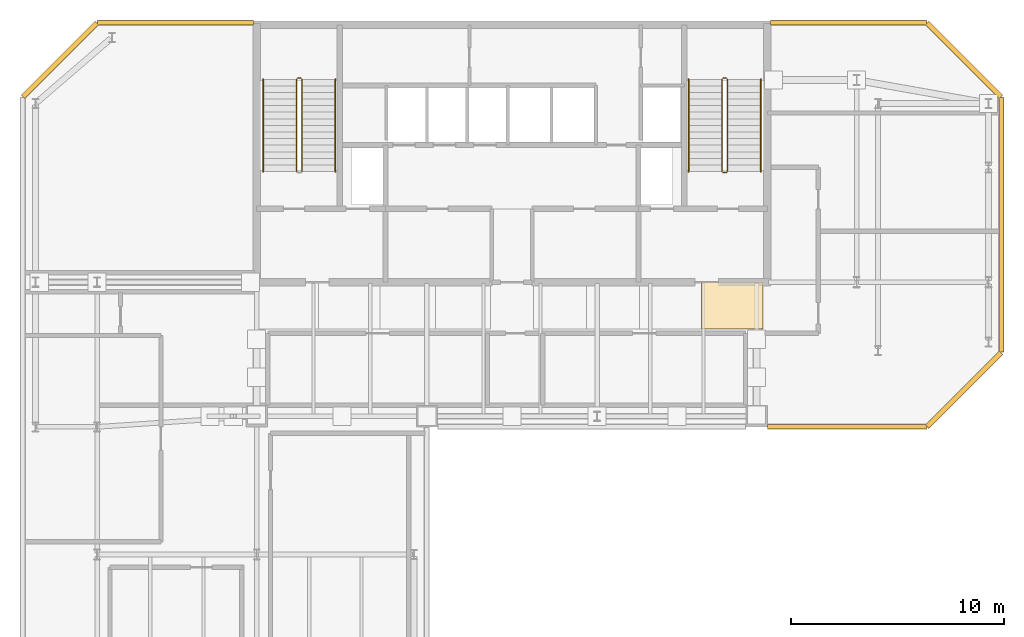
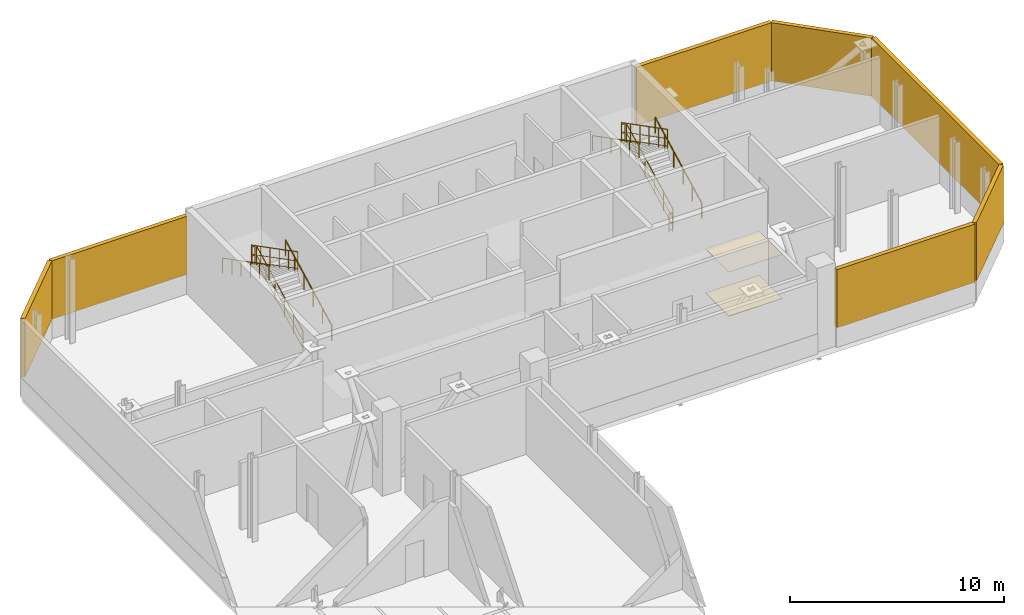
# One storey, part 7 of 7: 11 railings, 7 shading devices, 2 coverings.
"""IFC4 building model written with IfcOpenShell, lengths in metres."""

import ifcopenshell
import ifcopenshell.guid

model = None  # the IFC model being written
_history = None  # IfcOwnerHistory: only IFC2X3 demands one
_inside = {}  # id of a spatial element -> (the spatial element, [elements in it])
_under = {}  # id of a project, library or spatial element -> (it, [spatial elements below it])
_declared = {}  # id of a project -> (the project, [libraries it declares])
_typed = {}  # id of a type object -> (the type object, [elements of that type])
_made_of = {}  # id of a material, layer set ... -> (it, [elements and type objects made of it])


def new_model(schema):
    """Start an empty IFC model of exactly this schema.

    Asked for "IFC4X3", IfcOpenShell would pick the latest addendum, in which some entities
    have other attributes; the version numbers below select the first issue.
    IFC2X3 requires an IfcOwnerHistory on every rooted entity: one is made here for all.
    """
    global model, _history
    if schema == "IFC4X3":
        model = ifcopenshell.file(schema_version=(4, 3, 0, 0))
    else:
        model = ifcopenshell.file(schema=schema)
    _inside.clear()
    _under.clear()
    _declared.clear()
    _typed.clear()
    _made_of.clear()
    _history = None
    if model.schema == "IFC2X3":
        org = make("IfcOrganization", Name="unknown")
        user = make(
            "IfcPersonAndOrganization",
            ThePerson=make("IfcPerson", FamilyName="unknown"),
            TheOrganization=org,
        )
        app = make(
            "IfcApplication",
            ApplicationDeveloper=org,
            Version="unknown",
            ApplicationFullName="unknown",
            ApplicationIdentifier="unknown",
        )
        _history = make(
            "IfcOwnerHistory",
            OwningUser=user,
            OwningApplication=app,
            ChangeAction="ADDED",
            CreationDate=0,
        )
    return model


def make(cls, **values):
    """One entity of the class cls with the attributes given. An attribute that is None is left unset."""
    return model.create_entity(
        cls, **{name: value for name, value in values.items() if value is not None}
    )


def rooted(cls, **values):
    """An entity with a GlobalId (a new one), such as an element, a storey or a relation."""
    return make(cls, GlobalId=ifcopenshell.guid.new(), OwnerHistory=_history, **values)


def si_unit(unit_type, name, prefix=None):
    """IfcSIUnit, for example si_unit("LENGTHUNIT", "METRE", prefix="MILLI")."""
    return make("IfcSIUnit", UnitType=unit_type, Prefix=prefix, Name=name)


def assignment(units):
    """IfcUnitAssignment: the units of a project."""
    return None if units is None else make("IfcUnitAssignment", Units=units)


def point(xyz):
    """IfcCartesianPoint."""
    return None if xyz is None else make("IfcCartesianPoint", Coordinates=xyz)


def direction(xyz):
    """IfcDirection."""
    return None if xyz is None else make("IfcDirection", DirectionRatios=xyz)


def frame(location, z_axis=None, x_axis=None):
    """IfcAxis2Placement3D, a coordinate frame: its origin and axes. An axis left out is left unset."""
    return make(
        "IfcAxis2Placement3D",
        Location=point(location),
        Axis=direction(z_axis),
        RefDirection=direction(x_axis),
    )


def frame_2d(location, x_axis=None):
    """IfcAxis2Placement2D, a coordinate frame in the plane: its origin and x axis."""
    return make(
        "IfcAxis2Placement2D", Location=point(location), RefDirection=direction(x_axis)
    )


def origin():
    """The frame at (0, 0, 0) with its axes left unset."""
    return frame((0.0, 0.0, 0.0))


def origin_2d():
    """The frame at (0, 0) in the plane with its x axis left unset."""
    return frame_2d((0.0, 0.0))


def place(relative_to, where):
    """IfcLocalPlacement: puts the frame where relative to a parent placement (None: the world)."""
    return make(
        "IfcLocalPlacement", PlacementRelTo=relative_to, RelativePlacement=where
    )


def context(
    kind, dimensions, precision=None, world=None, true_north=None, identifier=None
):
    """IfcGeometricRepresentationContext, for example the 3D "Model" context."""
    return make(
        "IfcGeometricRepresentationContext",
        ContextIdentifier=identifier,
        ContextType=kind,
        CoordinateSpaceDimension=dimensions,
        Precision=precision,
        WorldCoordinateSystem=world,
        TrueNorth=true_north,
    )


def subcontext(parent, identifier, kind, view, scale=None):
    """IfcGeometricRepresentationSubContext, for example "Body" below "Model"."""
    return make(
        "IfcGeometricRepresentationSubContext",
        ContextIdentifier=identifier,
        ContextType=kind,
        ParentContext=parent,
        TargetScale=scale,
        TargetView=view,
    )


def project(units=None, contexts=None):
    """IfcProject with its units and contexts."""
    return rooted(
        "IfcProject",
        Name="project",
        RepresentationContexts=contexts,
        UnitsInContext=assignment(units),
    )


def spatial(cls, under=None, at=None, **own):
    """A site, building, storey or space (cls), placed at a placement, below another one or the project."""
    s = rooted(cls, ObjectPlacement=at, **own)
    if under is not None:
        _under.setdefault(under.id(), (under, []))[1].append(s)
    return s


def polyline(points):
    """IfcPolyline through the points."""
    return make("IfcPolyline", Points=[point(p) for p in points])


def profile(cls, at=None, kind="AREA", **sizes):
    """A parametric profile (cls). Its sizes go by their IFC names, for example OverallWidth=200.0."""
    return make(cls, ProfileType=kind, Position=at, **sizes)


def rectangle(**sizes):
    """IfcRectangleProfileDef."""
    return profile("IfcRectangleProfileDef", **sizes)


def circle(**sizes):
    """IfcCircleProfileDef."""
    return profile("IfcCircleProfileDef", **sizes)


def outline(outer, holes=None, kind="AREA"):
    """IfcArbitraryClosedProfileDef: a profile drawn as a closed curve; with holes, ...WithVoids."""
    if holes is None:
        return make("IfcArbitraryClosedProfileDef", ProfileType=kind, OuterCurve=outer)
    return make(
        "IfcArbitraryProfileDefWithVoids",
        ProfileType=kind,
        OuterCurve=outer,
        InnerCurves=holes,
    )


def extrude(swept, where, along, depth):
    """IfcExtrudedAreaSolid: the profile swept, set in the frame where, extruded along a direction by depth."""
    return make(
        "IfcExtrudedAreaSolid",
        SweptArea=swept,
        Position=where,
        ExtrudedDirection=direction(along),
        Depth=depth,
    )


def shape(context_of_items, identifier, shape_type, items):
    """IfcShapeRepresentation: the items that make up one representation, for example the "Body"."""
    return make(
        "IfcShapeRepresentation",
        ContextOfItems=context_of_items,
        RepresentationIdentifier=identifier,
        RepresentationType=shape_type,
        Items=items,
    )


def material(Name=None, Category=None):
    """IfcMaterial."""
    return make("IfcMaterial", Name=Name, Category=Category)


def layer(
    of_material, thickness, ventilated=None, Name=None, Category=None, Priority=None
):
    """IfcMaterialLayer: one layer of a wall or slab, of a material (None: an air gap)."""
    return make(
        "IfcMaterialLayer",
        Material=of_material,
        LayerThickness=thickness,
        IsVentilated=ventilated,
        Name=Name,
        Category=Category,
        Priority=Priority,
    )


def layer_set(layers, Name=None):
    """IfcMaterialLayerSet."""
    return make("IfcMaterialLayerSet", MaterialLayers=layers, LayerSetName=Name)


def made_of(thing, what):
    """Note that an element or type object is made of a material, layer set ...; save() writes the relation."""
    if what is not None:
        _made_of.setdefault(what.id(), (what, []))[1].append(thing)
    return thing


def type_object(cls, material=None, **own):
    """A type object (cls), such as IfcWallType, which elements share."""
    return made_of(rooted(cls, **own), material)


def element(
    cls,
    number,
    at=None,
    inside=None,
    cuts=None,
    type_object=None,
    material=None,
    context=None,
    identifier="Body",
    shape_type=None,
    held_by="IfcProductDefinitionShape",
    body=None,
    shapes=None,
    **own,
):
    """One element of the class cls, such as IfcWall. Its Tag is "e" and its number.

    at: its placement. inside: the storey or other place that contains it. cuts: it is an
    opening in that element (IfcRelVoidsElement). A single representation is given by context,
    identifier, shape_type and body (its items); several are given by shapes. held_by: the class
    of the entity that holds the representations. save() writes the other relations.
    """
    e = rooted(cls, Tag="e%d" % number, ObjectPlacement=at, **own)
    if body is not None:
        shapes = [shape(context, identifier, shape_type, body)]
    if shapes is not None:
        e.Representation = make(held_by, Representations=shapes)
    if inside is not None:
        _inside.setdefault(inside.id(), (inside, []))[1].append(e)
    if cuts is not None:
        rooted(
            "IfcRelVoidsElement", RelatingBuildingElement=cuts, RelatedOpeningElement=e
        )
    if type_object is not None:
        _typed.setdefault(type_object.id(), (type_object, []))[1].append(e)
    return made_of(e, material)


def aggregate(whole, parts):
    """IfcRelAggregates: a whole, such as a stair, and the parts it consists of."""
    return rooted("IfcRelAggregates", RelatingObject=whole, RelatedObjects=parts)


def save(model, path):
    """Write the relations noted so far, then the file.

    IfcRelAggregates (storeys below a building ...), IfcRelContainedInSpatialStructure (elements
    in a storey), IfcRelDefinesByType, IfcRelAssociatesMaterial and IfcRelDeclares: one each for
    every whole, place, type object, material and project.
    """
    for whole, parts in _under.values():
        aggregate(whole, parts)
    for where, things in _inside.values():
        rooted(
            "IfcRelContainedInSpatialStructure",
            RelatedElements=things,
            RelatingStructure=where,
        )
    for kind, things in _typed.values():
        rooted("IfcRelDefinesByType", RelatedObjects=things, RelatingType=kind)
    for what, things in _made_of.values():
        rooted("IfcRelAssociatesMaterial", RelatedObjects=things, RelatingMaterial=what)
    for by, libraries in _declared.values():
        rooted("IfcRelDeclares", RelatingContext=by, RelatedDefinitions=libraries)
    model.write(path)


model = new_model("IFC4")

# Units and contexts
model_context = context("Model", 3, precision=1e-05, world=origin(), true_north=direction((0.0, 1.0)))
body_context = subcontext(model_context, "Body", "Model", "MODEL_VIEW")
ifc_project = project(units=[si_unit("LENGTHUNIT", "METRE"), si_unit("AREAUNIT", "SQUARE_METRE"), si_unit("VOLUMEUNIT", "CUBIC_METRE"), si_unit("PLANEANGLEUNIT", "RADIAN"), si_unit("MASSUNIT", "GRAM", prefix="KILO")], contexts=[model_context])

# Site, building, storey
site_placement = place(None, origin())
site = spatial("IfcSite", under=ifc_project, at=site_placement, CompositionType="ELEMENT")
building_placement = place(site_placement, origin())
building = spatial("IfcBuilding", under=site, at=building_placement, Name="Catumbela Crestline Tower", CompositionType="ELEMENT")
storey_placement = place(building_placement, frame((0.0, 0.0, 208.2)))
storey = spatial("IfcBuildingStorey", under=building, at=storey_placement, Name="L54", CompositionType="ELEMENT", Elevation=208.2)

# Coverings
ifc_material_1 = material(Name="Mineral-fibre acoustic ceiling")
ifc_layer_1 = layer(ifc_material_1, 0.03, Name="Mineral-fibre acoustic ceiling")
ifc_layer_set_1 = layer_set([ifc_layer_1], Name="Mineral-fibre acoustic ceiling")
covering_type_1 = type_object("IfcCoveringType", Name="CC-AC", PredefinedType="CEILING", material=ifc_layer_set_1)
covering_1_placement = place(storey_placement, frame((0.0, 0.0, 2.52)))
element("IfcCovering", 1, at=covering_1_placement, inside=storey, type_object=covering_type_1, Name="L54 Corridor Acoustic Ceiling Bay 8", PredefinedType="CEILING", context=body_context, shape_type="SweptSolid", body=[
    extrude(outline(polyline([(36.9, 28.6), (39.8, 28.6), (39.8, 30.8), (36.9, 30.8), (36.9, 28.6)])), origin(), (0.0, 0.0, 1.0), 0.03),
])
ifc_material_2 = material(Name="Angolan grey-ochre granite", Category="masonry")
ifc_layer_2 = layer(ifc_material_2, 0.025, Name="Angolan grey-ochre granite")
ifc_layer_set_2 = layer_set([ifc_layer_2], Name="Angolan grey-ochre granite")
covering_type_2 = type_object("IfcCoveringType", Name="CF-GR", PredefinedType="FLOORING", material=ifc_layer_set_2)
covering_2_placement = place(storey_placement, origin())
element("IfcCovering", 2, at=covering_2_placement, inside=storey, type_object=covering_type_2, Name="L54 Corridor Granite Flooring Bay 8", PredefinedType="FLOORING", context=body_context, shape_type="SweptSolid", body=[
    extrude(outline(polyline([(36.9, 28.6), (39.8, 28.6), (39.8, 30.8), (36.9, 30.8), (36.9, 28.6)])), origin(), (0.0, 0.0, 1.0), 0.025),
])

# Railings
ifc_material_3 = material(Name="Stainless steel EN 1.4401", Category="steel")
railing_type_1 = type_object("IfcRailingType", Name="RG-1100", PredefinedType="GUARDRAIL", material=ifc_material_3)
railing_1_placement = place(storey_placement, frame((18.14, 36.0, 0.16)))
element("IfcRailing", 3, at=railing_1_placement, inside=storey, type_object=railing_type_1, Name="L54 ST-01 stair guard 1", PredefinedType="GUARDRAIL", context=body_context, shape_type="SweptSolid", body=[
    extrude(circle(Radius=0.024, at=origin_2d()), frame((0.0, 0.0, 1.076), z_axis=(0.0, 0.888620657055, 0.45864291977), x_axis=(-1.0, 0.0, 0.0)), (0.0, 0.0, 1.0), 4.884),
    extrude(circle(Radius=0.0156, at=origin_2d()), frame((0.0, 0.0, 0.55), z_axis=(0.0, 0.888620657055, 0.45864291977), x_axis=(-1.0, 0.0, 0.0)), (0.0, 0.0, 1.0), 4.884),
    extrude(circle(Radius=0.0156, at=origin_2d()), frame((0.0, 0.0, 0.12), z_axis=(0.0, 0.888620657055, 0.45864291977), x_axis=(-1.0, 0.0, 0.0)), (0.0, 0.0, 1.0), 4.884),
    extrude(circle(Radius=0.021, at=origin_2d()), origin(), (0.0, 0.0, 1.0), 1.052),
    extrude(circle(Radius=0.021, at=origin_2d()), frame((0.0, 0.868, 0.448)), (0.0, 0.0, 1.0), 1.052),
    extrude(circle(Radius=0.021, at=origin_2d()), frame((0.0, 1.736, 0.896)), (0.0, 0.0, 1.0), 1.052),
    extrude(circle(Radius=0.021, at=origin_2d()), frame((0.0, 2.604, 1.344)), (0.0, 0.0, 1.0), 1.052),
    extrude(circle(Radius=0.021, at=origin_2d()), frame((0.0, 3.472, 1.792)), (0.0, 0.0, 1.0), 1.052),
    extrude(circle(Radius=0.021, at=origin_2d()), frame((0.0, 4.34, 2.24)), (0.0, 0.0, 1.0), 1.052),
])
railing_2_placement = place(storey_placement, frame((18.09, 40.39, 2.4)))
element("IfcRailing", 4, at=railing_2_placement, inside=storey, type_object=railing_type_1, Name="L54 ST-01 stair guard 2", PredefinedType="GUARDRAIL", context=body_context, shape_type="SweptSolid", body=[
    extrude(circle(Radius=0.024, at=origin_2d()), frame((0.0, 0.0, 1.076), z_axis=(-1.0, 0.0, 0.0), x_axis=(0.0, -1.0, 0.0)), (0.0, 0.0, 1.0), 0.18),
    extrude(circle(Radius=0.0156, at=origin_2d()), frame((0.0, 0.0, 0.55), z_axis=(-1.0, 0.0, 0.0), x_axis=(0.0, -1.0, 0.0)), (0.0, 0.0, 1.0), 0.18),
    extrude(circle(Radius=0.0156, at=origin_2d()), frame((0.0, 0.0, 0.12), z_axis=(-1.0, 0.0, 0.0), x_axis=(0.0, -1.0, 0.0)), (0.0, 0.0, 1.0), 0.18),
    extrude(circle(Radius=0.021, at=origin_2d()), origin(), (0.0, 0.0, 1.0), 1.052),
    extrude(circle(Radius=0.021, at=origin_2d()), frame((-0.18, 0.0, 0.0)), (0.0, 0.0, 1.0), 1.052),
])
railing_3_placement = place(storey_placement, frame((17.86, 40.34, 2.56)))
element("IfcRailing", 5, at=railing_3_placement, inside=storey, type_object=railing_type_1, Name="L54 ST-01 stair guard 3", PredefinedType="GUARDRAIL", context=body_context, shape_type="SweptSolid", body=[
    extrude(circle(Radius=0.024, at=origin_2d()), frame((0.0, 0.0, 1.076), z_axis=(0.0, -0.888620657055, 0.45864291977), x_axis=(1.0, 0.0, 0.0)), (0.0, 0.0, 1.0), 4.884),
    extrude(circle(Radius=0.0156, at=origin_2d()), frame((0.0, 0.0, 0.55), z_axis=(0.0, -0.888620657055, 0.45864291977), x_axis=(1.0, 0.0, 0.0)), (0.0, 0.0, 1.0), 4.884),
    extrude(circle(Radius=0.0156, at=origin_2d()), frame((0.0, 0.0, 0.12), z_axis=(0.0, -0.888620657055, 0.45864291977), x_axis=(1.0, 0.0, 0.0)), (0.0, 0.0, 1.0), 4.884),
    extrude(circle(Radius=0.021, at=origin_2d()), origin(), (0.0, 0.0, 1.0), 1.052),
    extrude(circle(Radius=0.021, at=origin_2d()), frame((0.0, -0.868, 0.448)), (0.0, 0.0, 1.0), 1.052),
    extrude(circle(Radius=0.021, at=origin_2d()), frame((0.0, -1.736, 0.896)), (0.0, 0.0, 1.0), 1.052),
    extrude(circle(Radius=0.021, at=origin_2d()), frame((0.0, -2.604, 1.344)), (0.0, 0.0, 1.0), 1.052),
    extrude(circle(Radius=0.021, at=origin_2d()), frame((0.0, -3.472, 1.792)), (0.0, 0.0, 1.0), 1.052),
    extrude(circle(Radius=0.021, at=origin_2d()), frame((0.0, -4.34, 2.24)), (0.0, 0.0, 1.0), 1.052),
])
railing_4_placement = place(storey_placement, frame((38.14, 36.0, 0.16)))
element("IfcRailing", 6, at=railing_4_placement, inside=storey, type_object=railing_type_1, Name="L54 ST-02 stair guard 1", PredefinedType="GUARDRAIL", context=body_context, shape_type="SweptSolid", body=[
    extrude(circle(Radius=0.024, at=origin_2d()), frame((0.0, 0.0, 1.076), z_axis=(0.0, 0.888620657055, 0.45864291977), x_axis=(-1.0, 0.0, 0.0)), (0.0, 0.0, 1.0), 4.884),
    extrude(circle(Radius=0.0156, at=origin_2d()), frame((0.0, 0.0, 0.55), z_axis=(0.0, 0.888620657055, 0.45864291977), x_axis=(-1.0, 0.0, 0.0)), (0.0, 0.0, 1.0), 4.884),
    extrude(circle(Radius=0.0156, at=origin_2d()), frame((0.0, 0.0, 0.12), z_axis=(0.0, 0.888620657055, 0.45864291977), x_axis=(-1.0, 0.0, 0.0)), (0.0, 0.0, 1.0), 4.884),
    extrude(circle(Radius=0.021, at=origin_2d()), origin(), (0.0, 0.0, 1.0), 1.052),
    extrude(circle(Radius=0.021, at=origin_2d()), frame((0.0, 0.868, 0.448)), (0.0, 0.0, 1.0), 1.052),
    extrude(circle(Radius=0.021, at=origin_2d()), frame((0.0, 1.736, 0.896)), (0.0, 0.0, 1.0), 1.052),
    extrude(circle(Radius=0.021, at=origin_2d()), frame((0.0, 2.604, 1.344)), (0.0, 0.0, 1.0), 1.052),
    extrude(circle(Radius=0.021, at=origin_2d()), frame((0.0, 3.472, 1.792)), (0.0, 0.0, 1.0), 1.052),
    extrude(circle(Radius=0.021, at=origin_2d()), frame((0.0, 4.34, 2.24)), (0.0, 0.0, 1.0), 1.052),
])
railing_5_placement = place(storey_placement, frame((38.09, 40.39, 2.4)))
element("IfcRailing", 7, at=railing_5_placement, inside=storey, type_object=railing_type_1, Name="L54 ST-02 stair guard 2", PredefinedType="GUARDRAIL", context=body_context, shape_type="SweptSolid", body=[
    extrude(circle(Radius=0.024, at=origin_2d()), frame((0.0, 0.0, 1.076), z_axis=(-1.0, 0.0, 0.0), x_axis=(0.0, -1.0, 0.0)), (0.0, 0.0, 1.0), 0.18),
    extrude(circle(Radius=0.0156, at=origin_2d()), frame((0.0, 0.0, 0.55), z_axis=(-1.0, 0.0, 0.0), x_axis=(0.0, -1.0, 0.0)), (0.0, 0.0, 1.0), 0.18),
    extrude(circle(Radius=0.0156, at=origin_2d()), frame((0.0, 0.0, 0.12), z_axis=(-1.0, 0.0, 0.0), x_axis=(0.0, -1.0, 0.0)), (0.0, 0.0, 1.0), 0.18),
    extrude(circle(Radius=0.021, at=origin_2d()), origin(), (0.0, 0.0, 1.0), 1.052),
    extrude(circle(Radius=0.021, at=origin_2d()), frame((-0.18, 0.0, 0.0)), (0.0, 0.0, 1.0), 1.052),
])
railing_6_placement = place(storey_placement, frame((37.86, 40.34, 2.56)))
element("IfcRailing", 8, at=railing_6_placement, inside=storey, type_object=railing_type_1, Name="L54 ST-02 stair guard 3", PredefinedType="GUARDRAIL", context=body_context, shape_type="SweptSolid", body=[
    extrude(circle(Radius=0.024, at=origin_2d()), frame((0.0, 0.0, 1.076), z_axis=(0.0, -0.888620657055, 0.45864291977), x_axis=(1.0, 0.0, 0.0)), (0.0, 0.0, 1.0), 4.884),
    extrude(circle(Radius=0.0156, at=origin_2d()), frame((0.0, 0.0, 0.55), z_axis=(0.0, -0.888620657055, 0.45864291977), x_axis=(1.0, 0.0, 0.0)), (0.0, 0.0, 1.0), 4.884),
    extrude(circle(Radius=0.0156, at=origin_2d()), frame((0.0, 0.0, 0.12), z_axis=(0.0, -0.888620657055, 0.45864291977), x_axis=(1.0, 0.0, 0.0)), (0.0, 0.0, 1.0), 4.884),
    extrude(circle(Radius=0.021, at=origin_2d()), origin(), (0.0, 0.0, 1.0), 1.052),
    extrude(circle(Radius=0.021, at=origin_2d()), frame((0.0, -0.868, 0.448)), (0.0, 0.0, 1.0), 1.052),
    extrude(circle(Radius=0.021, at=origin_2d()), frame((0.0, -1.736, 0.896)), (0.0, 0.0, 1.0), 1.052),
    extrude(circle(Radius=0.021, at=origin_2d()), frame((0.0, -2.604, 1.344)), (0.0, 0.0, 1.0), 1.052),
    extrude(circle(Radius=0.021, at=origin_2d()), frame((0.0, -3.472, 1.792)), (0.0, 0.0, 1.0), 1.052),
    extrude(circle(Radius=0.021, at=origin_2d()), frame((0.0, -4.34, 2.24)), (0.0, 0.0, 1.0), 1.052),
])
railing_7_placement = place(storey_placement, frame((38.09, 35.95, 0.0)))
element("IfcRailing", 9, at=railing_7_placement, inside=storey, type_object=railing_type_1, Name="L54 ST-02 stair guard 4", PredefinedType="GUARDRAIL", context=body_context, shape_type="SweptSolid", body=[
    extrude(circle(Radius=0.024, at=origin_2d()), frame((0.0, 0.0, 1.076), z_axis=(-1.0, 0.0, 0.0), x_axis=(0.0, -1.0, 0.0)), (0.0, 0.0, 1.0), 0.18),
    extrude(circle(Radius=0.0156, at=origin_2d()), frame((0.0, 0.0, 0.55), z_axis=(-1.0, 0.0, 0.0), x_axis=(0.0, -1.0, 0.0)), (0.0, 0.0, 1.0), 0.18),
    extrude(circle(Radius=0.0156, at=origin_2d()), frame((0.0, 0.0, 0.12), z_axis=(-1.0, 0.0, 0.0), x_axis=(0.0, -1.0, 0.0)), (0.0, 0.0, 1.0), 0.18),
    extrude(circle(Radius=0.021, at=origin_2d()), origin(), (0.0, 0.0, 1.0), 1.052),
    extrude(circle(Radius=0.021, at=origin_2d()), frame((-0.18, 0.0, 0.0)), (0.0, 0.0, 1.0), 1.052),
])
railing_type_2 = type_object("IfcRailingType", Name="RH-0900", PredefinedType="HANDRAIL", material=ifc_material_3)
railing_8_placement = place(storey_placement, frame((19.7, 36.0, 0.16)))
element("IfcRailing", 10, at=railing_8_placement, inside=storey, type_object=railing_type_2, Name="L54 ST-01 stair handrail 1", PredefinedType="HANDRAIL", context=body_context, shape_type="SweptSolid", body=[
    extrude(circle(Radius=0.024, at=origin_2d()), frame((0.0, 0.0, 0.876), z_axis=(0.0, 0.888620657055, 0.45864291977), x_axis=(-1.0, 0.0, 0.0)), (0.0, 0.0, 1.0), 4.884),
    extrude(circle(Radius=0.021, at=origin_2d()), origin(), (0.0, 0.0, 1.0), 0.852),
    extrude(circle(Radius=0.021, at=origin_2d()), frame((0.0, 0.868, 0.448)), (0.0, 0.0, 1.0), 0.852),
    extrude(circle(Radius=0.021, at=origin_2d()), frame((0.0, 1.736, 0.896)), (0.0, 0.0, 1.0), 0.852),
    extrude(circle(Radius=0.021, at=origin_2d()), frame((0.0, 2.604, 1.344)), (0.0, 0.0, 1.0), 0.852),
    extrude(circle(Radius=0.021, at=origin_2d()), frame((0.0, 3.472, 1.792)), (0.0, 0.0, 1.0), 0.852),
    extrude(circle(Radius=0.021, at=origin_2d()), frame((0.0, 4.34, 2.24)), (0.0, 0.0, 1.0), 0.852),
])
railing_9_placement = place(storey_placement, frame((16.3, 40.34, 2.56)))
element("IfcRailing", 11, at=railing_9_placement, inside=storey, type_object=railing_type_2, Name="L54 ST-01 stair handrail 2", PredefinedType="HANDRAIL", context=body_context, shape_type="SweptSolid", body=[
    extrude(circle(Radius=0.024, at=origin_2d()), frame((0.0, 0.0, 0.876), z_axis=(0.0, -0.888620657055, 0.45864291977), x_axis=(1.0, 0.0, 0.0)), (0.0, 0.0, 1.0), 4.884),
    extrude(circle(Radius=0.021, at=origin_2d()), origin(), (0.0, 0.0, 1.0), 0.852),
    extrude(circle(Radius=0.021, at=origin_2d()), frame((0.0, -0.868, 0.448)), (0.0, 0.0, 1.0), 0.852),
    extrude(circle(Radius=0.021, at=origin_2d()), frame((0.0, -1.736, 0.896)), (0.0, 0.0, 1.0), 0.852),
    extrude(circle(Radius=0.021, at=origin_2d()), frame((0.0, -2.604, 1.344)), (0.0, 0.0, 1.0), 0.852),
    extrude(circle(Radius=0.021, at=origin_2d()), frame((0.0, -3.472, 1.792)), (0.0, 0.0, 1.0), 0.852),
    extrude(circle(Radius=0.021, at=origin_2d()), frame((0.0, -4.34, 2.24)), (0.0, 0.0, 1.0), 0.852),
])
railing_10_placement = place(storey_placement, frame((39.7, 36.0, 0.16)))
element("IfcRailing", 12, at=railing_10_placement, inside=storey, type_object=railing_type_2, Name="L54 ST-02 stair handrail 1", PredefinedType="HANDRAIL", context=body_context, shape_type="SweptSolid", body=[
    extrude(circle(Radius=0.024, at=origin_2d()), frame((0.0, 0.0, 0.876), z_axis=(0.0, 0.888620657055, 0.45864291977), x_axis=(-1.0, 0.0, 0.0)), (0.0, 0.0, 1.0), 4.884),
    extrude(circle(Radius=0.021, at=origin_2d()), origin(), (0.0, 0.0, 1.0), 0.852),
    extrude(circle(Radius=0.021, at=origin_2d()), frame((0.0, 0.868, 0.448)), (0.0, 0.0, 1.0), 0.852),
    extrude(circle(Radius=0.021, at=origin_2d()), frame((0.0, 1.736, 0.896)), (0.0, 0.0, 1.0), 0.852),
    extrude(circle(Radius=0.021, at=origin_2d()), frame((0.0, 2.604, 1.344)), (0.0, 0.0, 1.0), 0.852),
    extrude(circle(Radius=0.021, at=origin_2d()), frame((0.0, 3.472, 1.792)), (0.0, 0.0, 1.0), 0.852),
    extrude(circle(Radius=0.021, at=origin_2d()), frame((0.0, 4.34, 2.24)), (0.0, 0.0, 1.0), 0.852),
])
railing_11_placement = place(storey_placement, frame((36.3, 40.34, 2.56)))
element("IfcRailing", 13, at=railing_11_placement, inside=storey, type_object=railing_type_2, Name="L54 ST-02 stair handrail 2", PredefinedType="HANDRAIL", context=body_context, shape_type="SweptSolid", body=[
    extrude(circle(Radius=0.024, at=origin_2d()), frame((0.0, 0.0, 0.876), z_axis=(0.0, -0.888620657055, 0.45864291977), x_axis=(1.0, 0.0, 0.0)), (0.0, 0.0, 1.0), 4.884),
    extrude(circle(Radius=0.021, at=origin_2d()), origin(), (0.0, 0.0, 1.0), 0.852),
    extrude(circle(Radius=0.021, at=origin_2d()), frame((0.0, -0.868, 0.448)), (0.0, 0.0, 1.0), 0.852),
    extrude(circle(Radius=0.021, at=origin_2d()), frame((0.0, -1.736, 0.896)), (0.0, 0.0, 1.0), 0.852),
    extrude(circle(Radius=0.021, at=origin_2d()), frame((0.0, -2.604, 1.344)), (0.0, 0.0, 1.0), 0.852),
    extrude(circle(Radius=0.021, at=origin_2d()), frame((0.0, -3.472, 1.792)), (0.0, 0.0, 1.0), 0.852),
    extrude(circle(Radius=0.021, at=origin_2d()), frame((0.0, -4.34, 2.24)), (0.0, 0.0, 1.0), 0.852),
])

# Shading devices
ifc_material_4 = material(Name="Aluminium alloy AW-6060-T66", Category="aluminium")
shading_device_type = type_object("IfcShadingDeviceType", Name="SL-PLT", PredefinedType="JALOUSIE", material=ifc_material_4)
shading_device_1_placement = place(storey_placement, frame((43.75, 24.0, 1.11), z_axis=(0.0, 0.0, 1.0), x_axis=(1.0, 0.0, 0.0)))
element("IfcShadingDevice", 14, at=shading_device_1_placement, inside=storey, type_object=shading_device_type, Name="L54 Acoustic Plant Louvre Bank 29", PredefinedType="JALOUSIE", context=body_context, shape_type="SweptSolid", body=[
    extrude(rectangle(XDim=7.46, YDim=0.22, at=origin_2d()), origin(), (0.0, 0.0, 1.0), 3.33),
])
shading_device_2_placement = place(storey_placement, frame((49.25, 25.75, 1.11), z_axis=(0.0, 0.0, 1.0), x_axis=(0.707106781187, 0.707106781187, 0.0)))
element("IfcShadingDevice", 15, at=shading_device_2_placement, inside=storey, type_object=shading_device_type, Name="L54 Acoustic Plant Louvre Bank 30", PredefinedType="JALOUSIE", context=body_context, shape_type="SweptSolid", body=[
    extrude(rectangle(XDim=4.9097, YDim=0.22, at=origin_2d()), origin(), (0.0, 0.0, 1.0), 3.33),
])
shading_device_3_placement = place(storey_placement, frame((51.0, 33.5, 1.11), z_axis=(0.0, 0.0, 1.0), x_axis=(0.0, 1.0, 0.0)))
element("IfcShadingDevice", 16, at=shading_device_3_placement, inside=storey, type_object=shading_device_type, Name="L54 Acoustic Plant Louvre Bank 31", PredefinedType="JALOUSIE", context=body_context, shape_type="SweptSolid", body=[
    extrude(rectangle(XDim=11.96, YDim=0.22, at=origin_2d()), origin(), (0.0, 0.0, 1.0), 3.33),
])
shading_device_4_placement = place(storey_placement, frame((49.25, 41.25, 1.11), z_axis=(0.0, 0.0, 1.0), x_axis=(-0.707106781187, 0.707106781187, 0.0)))
element("IfcShadingDevice", 17, at=shading_device_4_placement, inside=storey, type_object=shading_device_type, Name="L54 Acoustic Plant Louvre Bank 32", PredefinedType="JALOUSIE", context=body_context, shape_type="SweptSolid", body=[
    extrude(rectangle(XDim=4.9097, YDim=0.22, at=origin_2d()), origin(), (0.0, 0.0, 1.0), 3.33),
])
for number, where, z_axis, x_axis, name in (
    (18, (43.82, 43.0, 1.11), (0.0, 0.0, 1.0), (-1.0, 0.0, 0.0), "L54 Acoustic Plant Louvre Bank 33"),
    (19, (12.18, 43.0, 1.11), (0.0, 0.0, 1.0), (-1.0, 0.0, 0.0), "L54 Acoustic Plant Louvre Bank 34"),
):
    element("IfcShadingDevice", number, at=place(storey_placement, frame(where, z_axis=z_axis, x_axis=x_axis)), inside=storey, type_object=shading_device_type, Name=name, PredefinedType="JALOUSIE", context=body_context, shape_type="SweptSolid", body=[
        extrude(rectangle(XDim=7.32, YDim=0.22, at=origin_2d()), origin(), (0.0, 0.0, 1.0), 3.33),
    ])
shading_device_5_placement = place(storey_placement, frame((6.75, 41.25, 1.11), z_axis=(0.0, 0.0, 1.0), x_axis=(-0.707106781187, -0.707106781187, 0.0)))
element("IfcShadingDevice", 20, at=shading_device_5_placement, inside=storey, type_object=shading_device_type, Name="L54 Acoustic Plant Louvre Bank 35", PredefinedType="JALOUSIE", context=body_context, shape_type="SweptSolid", body=[
    extrude(rectangle(XDim=4.9097, YDim=0.22, at=origin_2d()), origin(), (0.0, 0.0, 1.0), 3.33),
])

save(model, "model.ifc")
